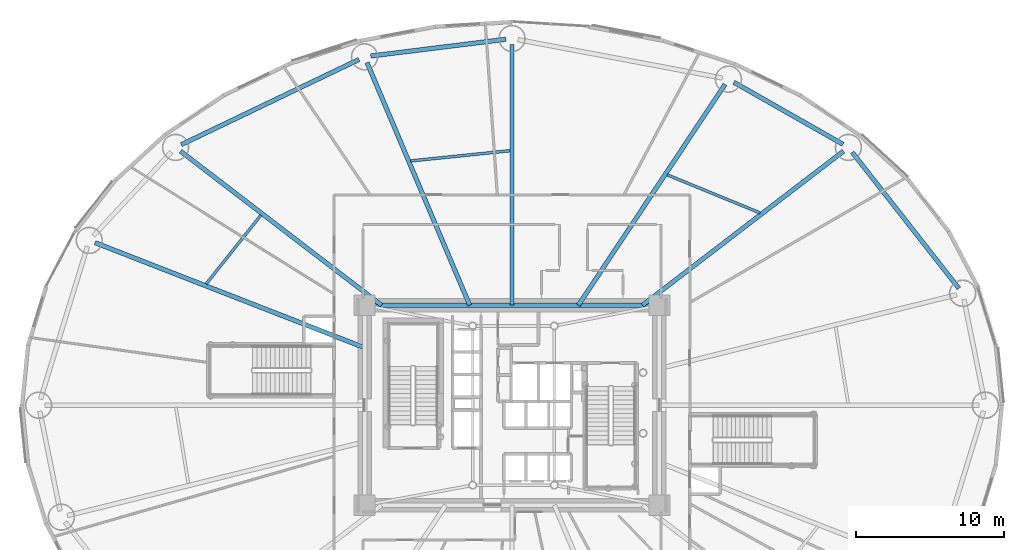
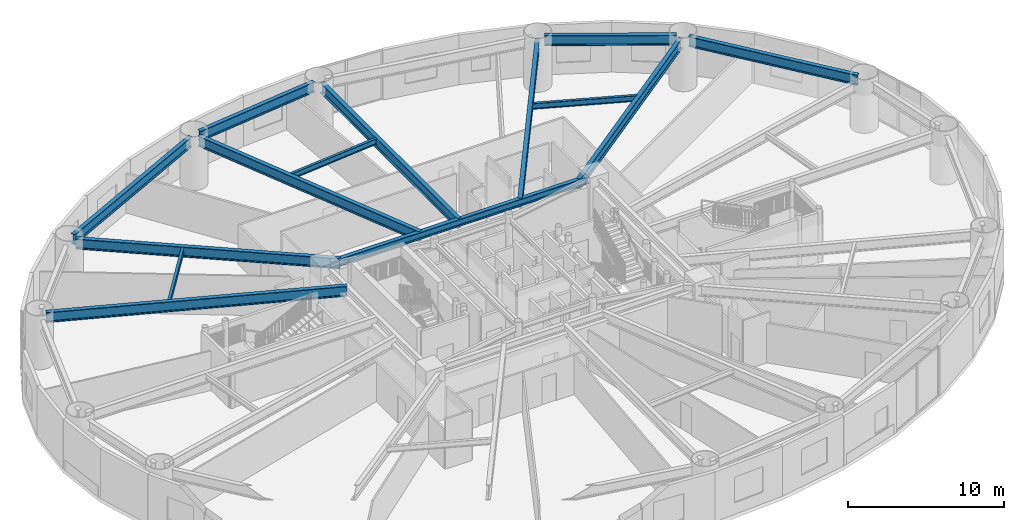
# One storey, part 9 of 27: 14 beams.
"""IFC4 building model written with IfcOpenShell, lengths in metres."""

import ifcopenshell
import ifcopenshell.guid

model = None  # the IFC model being written
_history = None  # IfcOwnerHistory: only IFC2X3 demands one
_inside = {}  # id of a spatial element -> (the spatial element, [elements in it])
_under = {}  # id of a project, library or spatial element -> (it, [spatial elements below it])
_declared = {}  # id of a project -> (the project, [libraries it declares])
_typed = {}  # id of a type object -> (the type object, [elements of that type])
_made_of = {}  # id of a material, layer set ... -> (it, [elements and type objects made of it])


def new_model(schema):
    """Start an empty IFC model of exactly this schema.

    Asked for "IFC4X3", IfcOpenShell would pick the latest addendum, in which some entities
    have other attributes; the version numbers below select the first issue.
    IFC2X3 requires an IfcOwnerHistory on every rooted entity: one is made here for all.
    """
    global model, _history
    if schema == "IFC4X3":
        model = ifcopenshell.file(schema_version=(4, 3, 0, 0))
    else:
        model = ifcopenshell.file(schema=schema)
    _inside.clear()
    _under.clear()
    _declared.clear()
    _typed.clear()
    _made_of.clear()
    _history = None
    if model.schema == "IFC2X3":
        org = make("IfcOrganization", Name="unknown")
        user = make(
            "IfcPersonAndOrganization",
            ThePerson=make("IfcPerson", FamilyName="unknown"),
            TheOrganization=org,
        )
        app = make(
            "IfcApplication",
            ApplicationDeveloper=org,
            Version="unknown",
            ApplicationFullName="unknown",
            ApplicationIdentifier="unknown",
        )
        _history = make(
            "IfcOwnerHistory",
            OwningUser=user,
            OwningApplication=app,
            ChangeAction="ADDED",
            CreationDate=0,
        )
    return model


def make(cls, **values):
    """One entity of the class cls with the attributes given. An attribute that is None is left unset."""
    return model.create_entity(
        cls, **{name: value for name, value in values.items() if value is not None}
    )


def rooted(cls, **values):
    """An entity with a GlobalId (a new one), such as an element, a storey or a relation."""
    return make(cls, GlobalId=ifcopenshell.guid.new(), OwnerHistory=_history, **values)


def si_unit(unit_type, name, prefix=None):
    """IfcSIUnit, for example si_unit("LENGTHUNIT", "METRE", prefix="MILLI")."""
    return make("IfcSIUnit", UnitType=unit_type, Prefix=prefix, Name=name)


def assignment(units):
    """IfcUnitAssignment: the units of a project."""
    return None if units is None else make("IfcUnitAssignment", Units=units)


def point(xyz):
    """IfcCartesianPoint."""
    return None if xyz is None else make("IfcCartesianPoint", Coordinates=xyz)


def direction(xyz):
    """IfcDirection."""
    return None if xyz is None else make("IfcDirection", DirectionRatios=xyz)


def frame(location, z_axis=None, x_axis=None):
    """IfcAxis2Placement3D, a coordinate frame: its origin and axes. An axis left out is left unset."""
    return make(
        "IfcAxis2Placement3D",
        Location=point(location),
        Axis=direction(z_axis),
        RefDirection=direction(x_axis),
    )


def frame_2d(location, x_axis=None):
    """IfcAxis2Placement2D, a coordinate frame in the plane: its origin and x axis."""
    return make(
        "IfcAxis2Placement2D", Location=point(location), RefDirection=direction(x_axis)
    )


def origin():
    """The frame at (0, 0, 0) with its axes left unset."""
    return frame((0.0, 0.0, 0.0))


def origin_2d():
    """The frame at (0, 0) in the plane with its x axis left unset."""
    return frame_2d((0.0, 0.0))


def place(relative_to, where):
    """IfcLocalPlacement: puts the frame where relative to a parent placement (None: the world)."""
    return make(
        "IfcLocalPlacement", PlacementRelTo=relative_to, RelativePlacement=where
    )


def context(
    kind, dimensions, precision=None, world=None, true_north=None, identifier=None
):
    """IfcGeometricRepresentationContext, for example the 3D "Model" context."""
    return make(
        "IfcGeometricRepresentationContext",
        ContextIdentifier=identifier,
        ContextType=kind,
        CoordinateSpaceDimension=dimensions,
        Precision=precision,
        WorldCoordinateSystem=world,
        TrueNorth=true_north,
    )


def subcontext(parent, identifier, kind, view, scale=None):
    """IfcGeometricRepresentationSubContext, for example "Body" below "Model"."""
    return make(
        "IfcGeometricRepresentationSubContext",
        ContextIdentifier=identifier,
        ContextType=kind,
        ParentContext=parent,
        TargetScale=scale,
        TargetView=view,
    )


def project(units=None, contexts=None):
    """IfcProject with its units and contexts."""
    return rooted(
        "IfcProject",
        Name="project",
        RepresentationContexts=contexts,
        UnitsInContext=assignment(units),
    )


def spatial(cls, under=None, at=None, **own):
    """A site, building, storey or space (cls), placed at a placement, below another one or the project."""
    s = rooted(cls, ObjectPlacement=at, **own)
    if under is not None:
        _under.setdefault(under.id(), (under, []))[1].append(s)
    return s


def profile(cls, at=None, kind="AREA", **sizes):
    """A parametric profile (cls). Its sizes go by their IFC names, for example OverallWidth=200.0."""
    return make(cls, ProfileType=kind, Position=at, **sizes)


def i_section(**sizes):
    """IfcIShapeProfileDef."""
    return profile("IfcIShapeProfileDef", **sizes)


def extrude(swept, where, along, depth):
    """IfcExtrudedAreaSolid: the profile swept, set in the frame where, extruded along a direction by depth."""
    return make(
        "IfcExtrudedAreaSolid",
        SweptArea=swept,
        Position=where,
        ExtrudedDirection=direction(along),
        Depth=depth,
    )


def shape(context_of_items, identifier, shape_type, items):
    """IfcShapeRepresentation: the items that make up one representation, for example the "Body"."""
    return make(
        "IfcShapeRepresentation",
        ContextOfItems=context_of_items,
        RepresentationIdentifier=identifier,
        RepresentationType=shape_type,
        Items=items,
    )


def material(Name=None, Category=None):
    """IfcMaterial."""
    return make("IfcMaterial", Name=Name, Category=Category)


def material_profile(
    of_material, cross_section, Name=None, Category=None, Priority=None
):
    """IfcMaterialProfile: a cross section and its material."""
    return make(
        "IfcMaterialProfile",
        Name=Name,
        Material=of_material,
        Profile=cross_section,
        Priority=Priority,
        Category=Category,
    )


def profile_set(profiles, Name=None, composite=None):
    """IfcMaterialProfileSet."""
    return make(
        "IfcMaterialProfileSet",
        Name=Name,
        MaterialProfiles=profiles,
        CompositeProfile=composite,
    )


def made_of(thing, what):
    """Note that an element or type object is made of a material, layer set ...; save() writes the relation."""
    if what is not None:
        _made_of.setdefault(what.id(), (what, []))[1].append(thing)
    return thing


def type_object(cls, material=None, **own):
    """A type object (cls), such as IfcWallType, which elements share."""
    return made_of(rooted(cls, **own), material)


def element(
    cls,
    number,
    at=None,
    inside=None,
    cuts=None,
    type_object=None,
    material=None,
    context=None,
    identifier="Body",
    shape_type=None,
    held_by="IfcProductDefinitionShape",
    body=None,
    shapes=None,
    **own,
):
    """One element of the class cls, such as IfcWall. Its Tag is "e" and its number.

    at: its placement. inside: the storey or other place that contains it. cuts: it is an
    opening in that element (IfcRelVoidsElement). A single representation is given by context,
    identifier, shape_type and body (its items); several are given by shapes. held_by: the class
    of the entity that holds the representations. save() writes the other relations.
    """
    e = rooted(cls, Tag="e%d" % number, ObjectPlacement=at, **own)
    if body is not None:
        shapes = [shape(context, identifier, shape_type, body)]
    if shapes is not None:
        e.Representation = make(held_by, Representations=shapes)
    if inside is not None:
        _inside.setdefault(inside.id(), (inside, []))[1].append(e)
    if cuts is not None:
        rooted(
            "IfcRelVoidsElement", RelatingBuildingElement=cuts, RelatedOpeningElement=e
        )
    if type_object is not None:
        _typed.setdefault(type_object.id(), (type_object, []))[1].append(e)
    return made_of(e, material)


def aggregate(whole, parts):
    """IfcRelAggregates: a whole, such as a stair, and the parts it consists of."""
    return rooted("IfcRelAggregates", RelatingObject=whole, RelatedObjects=parts)


def save(model, path):
    """Write the relations noted so far, then the file.

    IfcRelAggregates (storeys below a building ...), IfcRelContainedInSpatialStructure (elements
    in a storey), IfcRelDefinesByType, IfcRelAssociatesMaterial and IfcRelDeclares: one each for
    every whole, place, type object, material and project.
    """
    for whole, parts in _under.values():
        aggregate(whole, parts)
    for where, things in _inside.values():
        rooted(
            "IfcRelContainedInSpatialStructure",
            RelatedElements=things,
            RelatingStructure=where,
        )
    for kind, things in _typed.values():
        rooted("IfcRelDefinesByType", RelatedObjects=things, RelatingType=kind)
    for what, things in _made_of.values():
        rooted("IfcRelAssociatesMaterial", RelatedObjects=things, RelatingMaterial=what)
    for by, libraries in _declared.values():
        rooted("IfcRelDeclares", RelatingContext=by, RelatedDefinitions=libraries)
    model.write(path)


model = new_model("IFC4")

# Units and contexts
model_context = context("Model", 3, precision=1e-05, world=origin(), true_north=direction((0.0, 1.0)))
body_context = subcontext(model_context, "Body", "Model", "MODEL_VIEW")
ifc_project = project(units=[si_unit("LENGTHUNIT", "METRE"), si_unit("AREAUNIT", "SQUARE_METRE"), si_unit("VOLUMEUNIT", "CUBIC_METRE"), si_unit("PLANEANGLEUNIT", "RADIAN"), si_unit("MASSUNIT", "GRAM", prefix="KILO")], contexts=[model_context])

# Site, building, storey
site_placement = place(None, origin())
site = spatial("IfcSite", under=ifc_project, at=site_placement, CompositionType="ELEMENT")
building_placement = place(site_placement, origin())
building = spatial("IfcBuilding", under=site, at=building_placement, Name="Linh Dai School and Residence Tower", CompositionType="ELEMENT")
storey_placement = place(building_placement, frame((0.0, 0.0, 14.39990234375)))
storey = spatial("IfcBuildingStorey", under=building, at=storey_placement, Name="L03", CompositionType="ELEMENT", Elevation=14.39990234375)

# Beams
ifc_material = material(Name="Structural Steel S355JR", Category="steel")
ifc_material_profile_1 = material_profile(ifc_material, i_section(OverallWidth=0.300048828125, OverallDepth=0.550048828125, WebThickness=0.014892578125, FlangeThickness=0.029052734375, FilletRadius=0.027099609375, at=origin_2d()), Name="HEB 550")
ifc_profile_set_1 = profile_set([ifc_material_profile_1], Name="Structural Steel S355JR")
beam_type_1 = type_object("IfcBeamType", Name="BM-RG55", PredefinedType="BEAM", material=ifc_profile_set_1)
beam_1_placement = place(storey_placement, frame((45.530029296875, 33.75, 3.625), z_axis=(-1.0, 0.0, 0.0), x_axis=(0.0, -1.0, 0.0)))
element("IfcBeam", 1, at=beam_1_placement, inside=storey, type_object=beam_type_1, Name="L03 Core Perimeter Coupling Girder 3", PredefinedType="BEAM", context=body_context, shape_type="SweptSolid", body=[
    extrude(i_section(OverallWidth=0.300048828125, OverallDepth=0.550048828125, WebThickness=0.014892578125, FlangeThickness=0.029052734375, FilletRadius=0.027099609375, at=origin_2d()), origin(), (0.0, 0.0, 1.0), 19.06005859375),
])
ifc_material_profile_2 = material_profile(ifc_material, i_section(OverallWidth=0.300048828125, OverallDepth=0.800048828125, WebThickness=0.017578125, FlangeThickness=0.032958984375, FilletRadius=0.030029296875, at=origin_2d()), Name="HEB 800")
ifc_profile_set_2 = profile_set([ifc_material_profile_2], Name="Structural Steel S355JR")
beam_type_2 = type_object("IfcBeamType", Name="BM-RG8", PredefinedType="BEAM", material=ifc_profile_set_2)
beam_2_placement = place(storey_placement, frame((44.807861328125, 33.75, 3.5), z_axis=(0.793713040757, 0.608292371259, 0.0), x_axis=(-0.608292371259, 0.793713040757, 0.0)))
element("IfcBeam", 2, at=beam_2_placement, inside=storey, type_object=beam_type_2, Name="L03 Primary Radial Floor Girder 03", PredefinedType="BEAM", context=body_context, shape_type="SweptSolid", body=[
    extrude(i_section(OverallWidth=0.300048828125, OverallDepth=0.800048828125, WebThickness=0.017578125, FlangeThickness=0.032958984375, FilletRadius=0.030029296875, at=origin_2d()), origin(), (0.0, 0.0, 1.0), 17.08935546875),
])
beam_3_placement = place(storey_placement, frame((40.481201171875, 33.75, 3.5), z_axis=(0.553108911901, 0.833108955404, 0.0), x_axis=(-0.833108955404, 0.553108911901, 0.0)))
element("IfcBeam", 3, at=beam_3_placement, inside=storey, type_object=beam_type_2, Name="L03 Primary Radial Floor Girder 04", PredefinedType="BEAM", context=body_context, shape_type="SweptSolid", body=[
    extrude(i_section(OverallWidth=0.300048828125, OverallDepth=0.800048828125, WebThickness=0.017578125, FlangeThickness=0.032958984375, FilletRadius=0.030029296875, at=origin_2d()), origin(), (0.0, 0.0, 1.0), 17.89111328125),
])
beam_4_placement = place(storey_placement, frame((36.0, 33.75, 3.5), z_axis=(0.0, 1.0, 0.0), x_axis=(-1.0, 0.0, 0.0)))
element("IfcBeam", 4, at=beam_4_placement, inside=storey, type_object=beam_type_2, Name="L03 Primary Radial Floor Girder 05", PredefinedType="BEAM", context=body_context, shape_type="SweptSolid", body=[
    extrude(i_section(OverallWidth=0.300048828125, OverallDepth=0.800048828125, WebThickness=0.017578125, FlangeThickness=0.032958984375, FilletRadius=0.030029296875, at=origin_2d()), origin(), (0.0, 0.0, 1.0), 17.580078125),
])
beam_5_placement = place(storey_placement, frame((33.1435546875, 33.75, 3.5), z_axis=(-0.389695518128, 0.920943756779, 0.0), x_axis=(-0.920943756779, -0.389695518128, 0.0)))
element("IfcBeam", 5, at=beam_5_placement, inside=storey, type_object=beam_type_2, Name="L03 Primary Radial Floor Girder 06", PredefinedType="BEAM", context=body_context, shape_type="SweptSolid", body=[
    extrude(i_section(OverallWidth=0.300048828125, OverallDepth=0.800048828125, WebThickness=0.017578125, FlangeThickness=0.032958984375, FilletRadius=0.030029296875, at=origin_2d()), origin(), (0.0, 0.0, 1.0), 17.785400390625),
])
beam_6_placement = place(storey_placement, frame((27.192138671875, 33.75, 3.5), z_axis=(-0.793713040757, 0.608292371259, 0.0), x_axis=(-0.608292371259, -0.793713040757, 0.0)))
element("IfcBeam", 6, at=beam_6_placement, inside=storey, type_object=beam_type_2, Name="L03 Primary Radial Floor Girder 07", PredefinedType="BEAM", context=body_context, shape_type="SweptSolid", body=[
    extrude(i_section(OverallWidth=0.300048828125, OverallDepth=0.800048828125, WebThickness=0.017578125, FlangeThickness=0.032958984375, FilletRadius=0.030029296875, at=origin_2d()), origin(), (0.0, 0.0, 1.0), 17.08935546875),
])
beam_7_placement = place(storey_placement, frame((26.050048828125, 30.87841796875, 3.5), z_axis=(-0.931723276589, 0.363169018312, 0.0), x_axis=(-0.363169018312, -0.931723276589, 0.0)))
element("IfcBeam", 7, at=beam_7_placement, inside=storey, type_object=beam_type_2, Name="L03 Primary Radial Floor Girder 08", PredefinedType="BEAM", context=body_context, shape_type="SweptSolid", body=[
    extrude(i_section(OverallWidth=0.300048828125, OverallDepth=0.800048828125, WebThickness=0.017578125, FlangeThickness=0.032958984375, FilletRadius=0.030029296875, at=origin_2d()), origin(), (0.0, 0.0, 1.0), 19.525634765625),
])
beam_8_placement = place(storey_placement, frame((66.161376953125, 34.885986328125, 3.5), z_axis=(-0.616811949607, 0.787110550572, 0.0), x_axis=(-0.787110550572, -0.616811949607, 0.0)))
element("IfcBeam", 8, at=beam_8_placement, inside=storey, type_object=beam_type_2, Name="L03 Perimeter Elliptical Ring Beam 02", PredefinedType="BEAM", context=body_context, shape_type="SweptSolid", body=[
    extrude(i_section(OverallWidth=0.300048828125, OverallDepth=0.800048828125, WebThickness=0.017578125, FlangeThickness=0.032958984375, FilletRadius=0.030029296875, at=origin_2d()), origin(), (0.0, 0.0, 1.0), 11.668212890625),
])
beam_9_placement = place(storey_placement, frame((58.340087890625, 44.6083984375, 3.5), z_axis=(-0.869246663758, 0.494378637833, 0.0), x_axis=(-0.494378637833, -0.869246663758, 0.0)))
element("IfcBeam", 9, at=beam_9_placement, inside=storey, type_object=beam_type_2, Name="L03 Perimeter Elliptical Ring Beam 03", PredefinedType="BEAM", context=body_context, shape_type="SweptSolid", body=[
    extrude(i_section(OverallWidth=0.300048828125, OverallDepth=0.800048828125, WebThickness=0.017578125, FlangeThickness=0.032958984375, FilletRadius=0.030029296875, at=origin_2d()), origin(), (0.0, 0.0, 1.0), 8.4736328125),
])
beam_10_placement = place(storey_placement, frame((35.583251953125, 51.6982421875, 3.5), z_axis=(-0.992402470446, -0.123033884169, 0.0), x_axis=(0.123033884169, -0.992402470446, 0.0)))
element("IfcBeam", 10, at=beam_10_placement, inside=storey, type_object=beam_type_2, Name="L03 Perimeter Elliptical Ring Beam 05", PredefinedType="BEAM", context=body_context, shape_type="SweptSolid", body=[
    extrude(i_section(OverallWidth=0.300048828125, OverallDepth=0.800048828125, WebThickness=0.017578125, FlangeThickness=0.032958984375, FilletRadius=0.030029296875, at=origin_2d()), origin(), (0.0, 0.0, 1.0), 9.1875),
])
beam_11_placement = place(storey_placement, frame((25.670166015625, 50.33447265625, 3.5), z_axis=(-0.901703667424, -0.432354595388, 0.0), x_axis=(0.432354595388, -0.901703667424, 0.0)))
element("IfcBeam", 11, at=beam_11_placement, inside=storey, type_object=beam_type_2, Name="L03 Perimeter Elliptical Ring Beam 06", PredefinedType="BEAM", context=body_context, shape_type="SweptSolid", body=[
    extrude(i_section(OverallWidth=0.300048828125, OverallDepth=0.800048828125, WebThickness=0.017578125, FlangeThickness=0.032958984375, FilletRadius=0.030029296875, at=origin_2d()), origin(), (0.0, 0.0, 1.0), 13.304443359375),
])
ifc_material_profile_3 = material_profile(ifc_material, i_section(OverallWidth=0.18994140625, OverallDepth=0.449951171875, WebThickness=0.009521484375, FlangeThickness=0.0146484375, FilletRadius=0.02099609375, at=origin_2d()), Name="IPE 450")
ifc_profile_set_3 = profile_set([ifc_material_profile_3], Name="Structural Steel S355JR")
beam_type_3 = type_object("IfcBeamType", Name="BM-SB45", PredefinedType="BEAM", material=ifc_profile_set_3)
beam_12_placement = place(storey_placement, frame((52.748046875, 39.976806640625, 3.675048828125), z_axis=(-0.925243182728, 0.37937455478, 0.0), x_axis=(-0.37937455478, -0.925243182728, 0.0)))
element("IfcBeam", 12, at=beam_12_placement, inside=storey, type_object=beam_type_3, Name="L03 Secondary Circumferential Floor Beam 02", PredefinedType="BEAM", context=body_context, shape_type="SweptSolid", body=[
    extrude(i_section(OverallWidth=0.18994140625, OverallDepth=0.449951171875, WebThickness=0.009521484375, FlangeThickness=0.0146484375, FilletRadius=0.02099609375, at=origin_2d()), origin(), (0.0, 0.0, 1.0), 6.779052734375),
])
beam_13_placement = place(storey_placement, frame((35.87060546875, 44.1767578125, 3.675048828125), z_axis=(-0.994770416376, -0.102136275157, 0.0), x_axis=(0.102136275157, -0.994770416376, 0.0)))
element("IfcBeam", 13, at=beam_13_placement, inside=storey, type_object=beam_type_3, Name="L03 Secondary Circumferential Floor Beam 03", PredefinedType="BEAM", context=body_context, shape_type="SweptSolid", body=[
    extrude(i_section(OverallWidth=0.18994140625, OverallDepth=0.449951171875, WebThickness=0.009521484375, FlangeThickness=0.0146484375, FilletRadius=0.02099609375, at=origin_2d()), origin(), (0.0, 0.0, 1.0), 6.748046875),
])
beam_14_placement = place(storey_placement, frame((19.05078125, 39.82568359375, 3.675048828125), z_axis=(-0.622928179858, -0.782279031254, 0.0), x_axis=(0.782279031254, -0.622928179858, 0.0)))
element("IfcBeam", 14, at=beam_14_placement, inside=storey, type_object=beam_type_3, Name="L03 Secondary Circumferential Floor Beam 04", PredefinedType="BEAM", context=body_context, shape_type="SweptSolid", body=[
    extrude(i_section(OverallWidth=0.18994140625, OverallDepth=0.449951171875, WebThickness=0.009521484375, FlangeThickness=0.0146484375, FilletRadius=0.02099609375, at=origin_2d()), origin(), (0.0, 0.0, 1.0), 5.936767578125),
])

save(model, "model.ifc")
